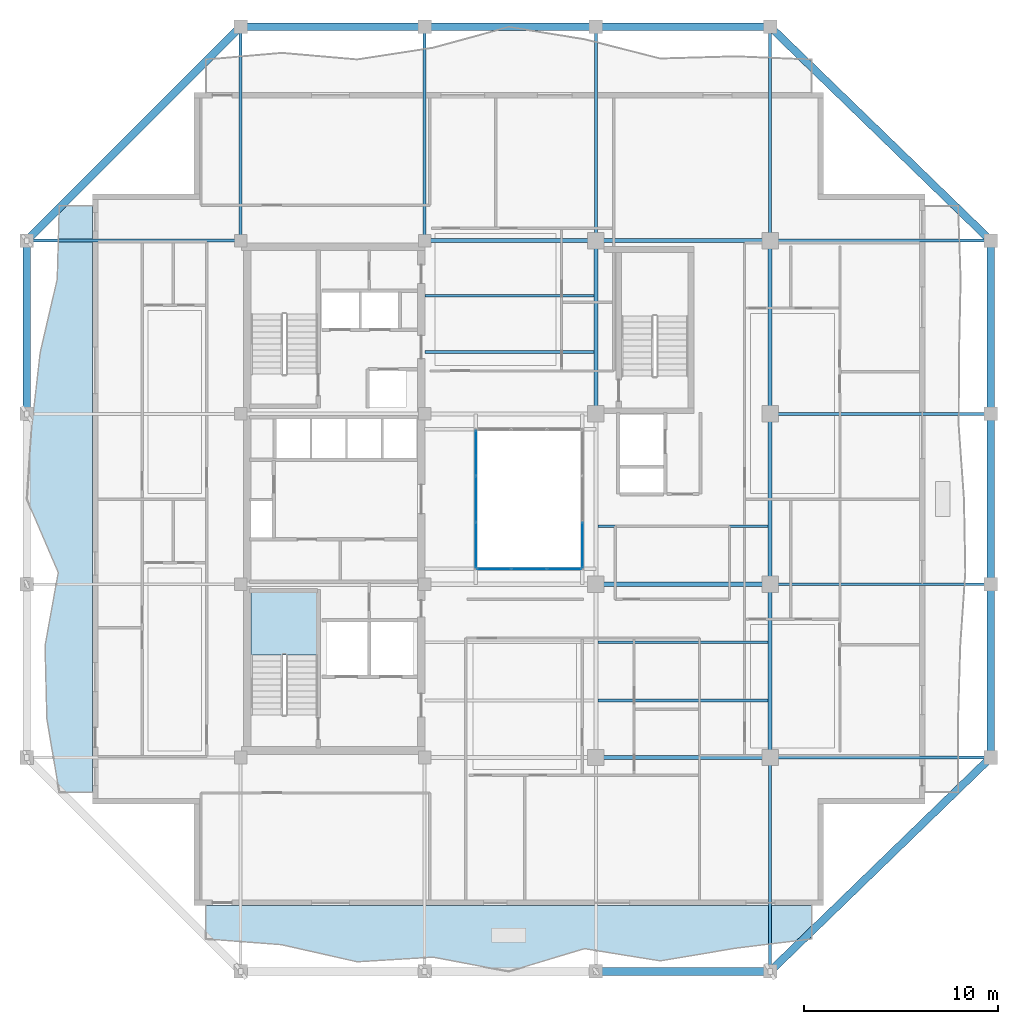
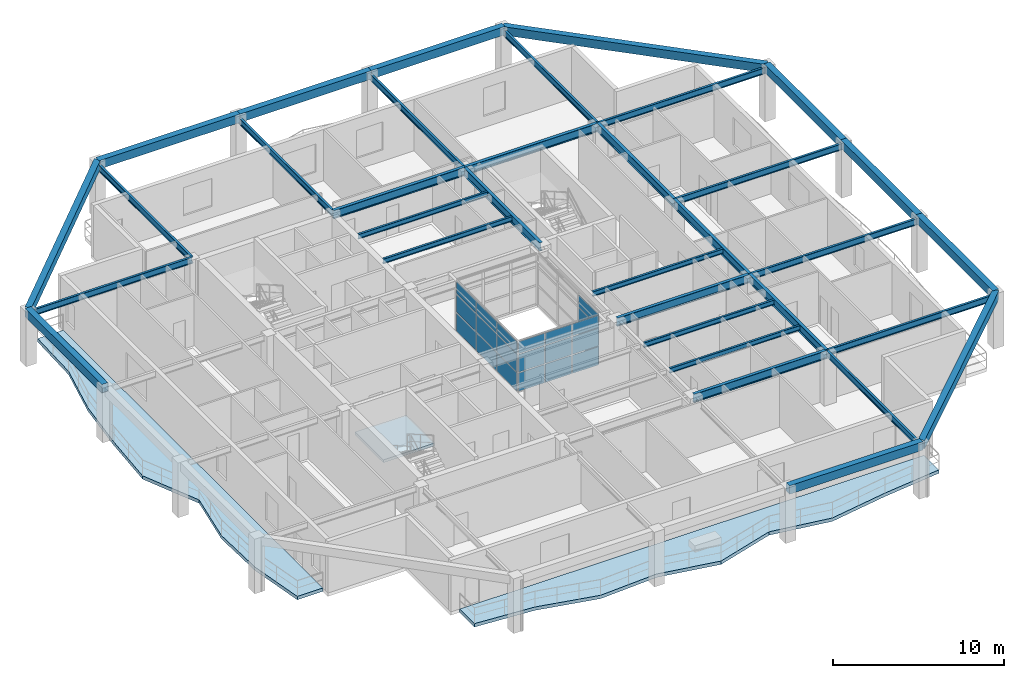
# One storey, part 4 of 15: 34 beams, 21 plates, 3 slabs, 4 elements without a shape of their own.
"""IFC4 building model written with IfcOpenShell, lengths in metres."""

from ifc_helpers import new_model, si_unit, direction, frame, origin, origin_2d, place, context, subcontext, project, spatial, polyline, rectangle, i_section, outline, extrude, material, layer, layer_set, material_profile, profile_set, type_object, element, aggregate, save


model = new_model("IFC4")

# Units and contexts
model_context = context("Model", 3, precision=1e-05, world=origin(), true_north=direction((0.0, 1.0)))
body_context = subcontext(model_context, "Body", "Model", "MODEL_VIEW")
ifc_project = project(units=[si_unit("LENGTHUNIT", "METRE"), si_unit("AREAUNIT", "SQUARE_METRE"), si_unit("VOLUMEUNIT", "CUBIC_METRE"), si_unit("PLANEANGLEUNIT", "RADIAN"), si_unit("MASSUNIT", "GRAM", prefix="KILO")], contexts=[model_context])

# Site, building, storey
site_placement = place(None, origin())
site = spatial("IfcSite", under=ifc_project, at=site_placement, CompositionType="ELEMENT")
building_placement = place(site_placement, origin())
building = spatial("IfcBuilding", under=site, at=building_placement, Name="Kundavana Baori Tower", CompositionType="ELEMENT")
storey_placement = place(building_placement, frame((0.0, 0.0, 214.10009765625)))
storey = spatial("IfcBuildingStorey", under=building, at=storey_placement, Name="L52", CompositionType="ELEMENT", Elevation=214.10009765625)

# Beams
ifc_material_1 = material(Name="Structural Steel S355JR", Category="steel")
ifc_material_profile_1 = material_profile(ifc_material_1, i_section(OverallWidth=0.139892578125, OverallDepth=0.35009765625, WebThickness=0.008056640625, FlangeThickness=0.01416015625, FilletRadius=0.013916015625, at=origin_2d()), Name="ISMB 350")
ifc_profile_set_1 = profile_set([ifc_material_profile_1], Name="Structural Steel S355JR")
beam_type_1 = type_object("IfcBeamType", Name="BM-JST-350", PredefinedType="JOIST", material=ifc_profile_set_1)
for number, where, z_axis, x_axis, name in (
    (1, (24.97998046875, 36.199951171875, 3.48486328125), (1.0, 0.0, 0.0), (0.0, 1.0, 0.0), "L52 Central Bay Composite Floor Joist C3"),
    (2, (24.97998046875, 39.10009765625, 3.48486328125), (1.0, 0.0, 0.0), (0.0, 1.0, 0.0), "L52 Central Bay Composite Floor Joist C4"),
):
    element("IfcBeam", number, at=place(storey_placement, frame(where, z_axis=z_axis, x_axis=x_axis)), inside=storey, type_object=beam_type_1, Name=name, PredefinedType="JOIST", context=body_context, shape_type="SweptSolid", body=[
        extrude(i_section(OverallWidth=0.139892578125, OverallDepth=0.35009765625, WebThickness=0.008056640625, FlangeThickness=0.01416015625, FilletRadius=0.013916015625, at=origin_2d()), origin(), (0.0, 0.0, 1.0), 8.715087890625),
    ])
for number, where, z_axis, x_axis, name in (
    (3, (33.905029296875, 18.199951171875, 3.48486328125), (1.0, 0.0, 0.0), (0.0, 1.0, 0.0), "L52 East Bay Composite Floor Joist E1"),
    (4, (33.905029296875, 21.199951171875, 3.48486328125), (1.0, 0.0, 0.0), (0.0, 1.0, 0.0), "L52 East Bay Composite Floor Joist E2"),
    (5, (33.905029296875, 27.199951171875, 3.48486328125), (1.0, 0.0, 0.0), (0.0, 1.0, 0.0), "L52 East Bay Composite Floor Joist E3"),
):
    element("IfcBeam", number, at=place(storey_placement, frame(where, z_axis=z_axis, x_axis=x_axis)), inside=storey, type_object=beam_type_1, Name=name, PredefinedType="JOIST", context=body_context, shape_type="SweptSolid", body=[
        extrude(i_section(OverallWidth=0.139892578125, OverallDepth=0.35009765625, WebThickness=0.008056640625, FlangeThickness=0.01416015625, FilletRadius=0.013916015625, at=origin_2d()), origin(), (0.0, 0.0, 1.0), 8.7900390625),
    ])
ifc_material_2 = material(Name="Concrete C50/60", Category="concrete")
ifc_material_profile_2 = material_profile(ifc_material_2, rectangle(XDim=0.39990234375, YDim=0.60009765625, at=origin_2d()), Name="RC BM 400x600")
ifc_profile_set_2 = profile_set([ifc_material_profile_2], Name="Concrete C50/60")
beam_type_2 = type_object("IfcBeamType", Name="BM-PF-600", PredefinedType="SPANDREL", material=ifc_profile_set_2)
beam_1_placement = place(storey_placement, frame((33.800048828125, 4.199951171875, 3.599853515625), z_axis=(1.0, 0.0, 0.0), x_axis=(0.0, 1.0, 0.0)))
element("IfcBeam", 6, at=beam_1_placement, inside=storey, type_object=beam_type_2, Name="L52 Perimeter Frame Ring Beam S3", PredefinedType="SPANDREL", context=body_context, shape_type="SweptSolid", body=[
    extrude(rectangle(XDim=0.39990234375, YDim=0.60009765625, at=origin_2d()), origin(), (0.0, 0.0, 1.0), 9.0),
])
beam_2_placement = place(storey_placement, frame((15.449951171875, 53.0, 3.599853515625), z_axis=(1.0, 0.0, 0.0), x_axis=(0.0, 1.0, 0.0)))
element("IfcBeam", 7, at=beam_2_placement, inside=storey, type_object=beam_type_2, Name="L52 Perimeter Frame Ring Beam N1", PredefinedType="SPANDREL", context=body_context, shape_type="SweptSolid", body=[
    extrude(rectangle(XDim=0.39990234375, YDim=0.60009765625, at=origin_2d()), origin(), (0.0, 0.0, 1.0), 9.5),
])
beam_3_placement = place(storey_placement, frame((24.949951171875, 53.0, 3.599853515625), z_axis=(1.0, 0.0, 0.0), x_axis=(0.0, 1.0, 0.0)))
element("IfcBeam", 8, at=beam_3_placement, inside=storey, type_object=beam_type_2, Name="L52 Perimeter Frame Ring Beam N2", PredefinedType="SPANDREL", context=body_context, shape_type="SweptSolid", body=[
    extrude(rectangle(XDim=0.39990234375, YDim=0.60009765625, at=origin_2d()), origin(), (0.0, 0.0, 1.0), 8.85009765625),
])
beam_4_placement = place(storey_placement, frame((33.800048828125, 53.0, 3.599853515625), z_axis=(1.0, 0.0, 0.0), x_axis=(0.0, 1.0, 0.0)))
element("IfcBeam", 9, at=beam_4_placement, inside=storey, type_object=beam_type_2, Name="L52 Perimeter Frame Ring Beam N3", PredefinedType="SPANDREL", context=body_context, shape_type="SweptSolid", body=[
    extrude(rectangle(XDim=0.39990234375, YDim=0.60009765625, at=origin_2d()), origin(), (0.0, 0.0, 1.0), 9.0),
])
for number, where, z_axis, x_axis, name in (
    (10, (4.39990234375, 33.0, 3.599853515625), (0.0, 1.0, 0.0), (-1.0, 0.0, 0.0), "L52 Perimeter Frame Ring Beam W3"),
    (11, (54.199951171875, 15.25, 3.599853515625), (0.0, 1.0, 0.0), (-1.0, 0.0, 0.0), "L52 Perimeter Frame Ring Beam E1"),
):
    element("IfcBeam", number, at=place(storey_placement, frame(where, z_axis=z_axis, x_axis=x_axis)), inside=storey, type_object=beam_type_2, Name=name, PredefinedType="SPANDREL", context=body_context, shape_type="SweptSolid", body=[
        extrude(rectangle(XDim=0.39990234375, YDim=0.60009765625, at=origin_2d()), origin(), (0.0, 0.0, 1.0), 8.949951171875),
    ])
beam_5_placement = place(storey_placement, frame((54.199951171875, 24.199951171875, 3.599853515625), z_axis=(0.0, 1.0, 0.0), x_axis=(-1.0, 0.0, 0.0)))
element("IfcBeam", 12, at=beam_5_placement, inside=storey, type_object=beam_type_2, Name="L52 Perimeter Frame Ring Beam E2", PredefinedType="SPANDREL", context=body_context, shape_type="SweptSolid", body=[
    extrude(rectangle(XDim=0.39990234375, YDim=0.60009765625, at=origin_2d()), origin(), (0.0, 0.0, 1.0), 8.800048828125),
])
beam_6_placement = place(storey_placement, frame((54.199951171875, 33.0, 3.599853515625), z_axis=(0.0, 1.0, 0.0), x_axis=(-1.0, 0.0, 0.0)))
element("IfcBeam", 13, at=beam_6_placement, inside=storey, type_object=beam_type_2, Name="L52 Perimeter Frame Ring Beam E3", PredefinedType="SPANDREL", context=body_context, shape_type="SweptSolid", body=[
    extrude(rectangle(XDim=0.39990234375, YDim=0.60009765625, at=origin_2d()), origin(), (0.0, 0.0, 1.0), 8.949951171875),
])
beam_7_placement = place(storey_placement, frame((42.800048828125, 4.199951171875, 3.599853515625), z_axis=(0.718038944492, 0.696002926857, 0.0), x_axis=(-0.696002926857, 0.718038944492, 0.0)))
element("IfcBeam", 14, at=beam_7_placement, inside=storey, type_object=beam_type_2, Name="L52 Notched Corner Perimeter Beam SE", PredefinedType="SPANDREL", context=body_context, shape_type="SweptSolid", body=[
    extrude(rectangle(XDim=0.39990234375, YDim=0.60009765625, at=origin_2d()), origin(), (0.0, 0.0, 1.0), 15.87646484375),
])
beam_8_placement = place(storey_placement, frame((15.449951171875, 53.0, 3.599853515625), z_axis=(-0.707106781187, -0.707106781187, 0.0), x_axis=(0.707106781187, -0.707106781187, 0.0)))
element("IfcBeam", 15, at=beam_8_placement, inside=storey, type_object=beam_type_2, Name="L52 Notched Corner Perimeter Beam NW", PredefinedType="SPANDREL", context=body_context, shape_type="SweptSolid", body=[
    extrude(rectangle(XDim=0.39990234375, YDim=0.60009765625, at=origin_2d()), origin(), (0.0, 0.0, 1.0), 15.627197265625),
])
beam_9_placement = place(storey_placement, frame((42.800048828125, 53.0, 3.599853515625), z_axis=(0.718038944492, -0.696002926857, 0.0), x_axis=(0.696002926857, 0.718038944492, 0.0)))
element("IfcBeam", 16, at=beam_9_placement, inside=storey, type_object=beam_type_2, Name="L52 Notched Corner Perimeter Beam NE", PredefinedType="SPANDREL", context=body_context, shape_type="SweptSolid", body=[
    extrude(rectangle(XDim=0.39990234375, YDim=0.60009765625, at=origin_2d()), origin(), (0.0, 0.0, 1.0), 15.87646484375),
])
ifc_material_3 = material(Name="Structural Steel S355JR", Category="steel")
ifc_material_profile_3 = material_profile(ifc_material_3, i_section(OverallWidth=0.2099609375, OverallDepth=0.60009765625, WebThickness=0.011962890625, FlangeThickness=0.020751953125, FilletRadius=0.02001953125, at=origin_2d()), Name="ISMB 600")
ifc_profile_set_3 = profile_set([ifc_material_profile_3], Name="Structural Steel S355JR")
beam_type_3 = type_object("IfcBeamType", Name="BM-ST-600", PredefinedType="BEAM", material=ifc_profile_set_3)
for number, where, z_axis, x_axis, name in (
    (17, (33.800048828125, 15.25, 3.35986328125), (1.0, 0.0, 0.0), (0.0, 1.0, 0.0), "L52 Primary Grid Girder GX-1-3"),
    (18, (33.800048828125, 24.199951171875, 3.35986328125), (1.0, 0.0, 0.0), (0.0, 1.0, 0.0), "L52 Primary Grid Girder GX-2-3"),
):
    element("IfcBeam", number, at=place(storey_placement, frame(where, z_axis=z_axis, x_axis=x_axis)), inside=storey, type_object=beam_type_3, Name=name, PredefinedType="BEAM", context=body_context, shape_type="SweptSolid", body=[
        extrude(i_section(OverallWidth=0.2099609375, OverallDepth=0.60009765625, WebThickness=0.011962890625, FlangeThickness=0.020751953125, FilletRadius=0.02001953125, at=origin_2d()), origin(), (0.0, 0.0, 1.0), 9.0),
    ])
beam_10_placement = place(storey_placement, frame((24.949951171875, 41.949951171875, 3.35986328125), z_axis=(1.0, 0.0, 0.0), x_axis=(0.0, 1.0, 0.0)))
element("IfcBeam", 19, at=beam_10_placement, inside=storey, type_object=beam_type_3, Name="L52 Primary Grid Girder GX-4-2", PredefinedType="BEAM", context=body_context, shape_type="SweptSolid", body=[
    extrude(i_section(OverallWidth=0.2099609375, OverallDepth=0.60009765625, WebThickness=0.011962890625, FlangeThickness=0.020751953125, FilletRadius=0.02001953125, at=origin_2d()), origin(), (0.0, 0.0, 1.0), 8.85009765625),
])
beam_11_placement = place(storey_placement, frame((33.800048828125, 41.949951171875, 3.35986328125), z_axis=(1.0, 0.0, 0.0), x_axis=(0.0, 1.0, 0.0)))
element("IfcBeam", 20, at=beam_11_placement, inside=storey, type_object=beam_type_3, Name="L52 Primary Grid Girder GX-4-3", PredefinedType="BEAM", context=body_context, shape_type="SweptSolid", body=[
    extrude(i_section(OverallWidth=0.2099609375, OverallDepth=0.60009765625, WebThickness=0.011962890625, FlangeThickness=0.020751953125, FilletRadius=0.02001953125, at=origin_2d()), origin(), (0.0, 0.0, 1.0), 9.0),
])
for number, where, z_axis, x_axis, name in (
    (21, (33.800048828125, 33.0, 3.35986328125), (0.0, 1.0, 0.0), (-1.0, 0.0, 0.0), "L52 Primary Grid Girder GY-3-3"),
    (22, (42.800048828125, 15.25, 3.35986328125), (0.0, 1.0, 0.0), (-1.0, 0.0, 0.0), "L52 Primary Grid Girder GY-4-1"),
):
    element("IfcBeam", number, at=place(storey_placement, frame(where, z_axis=z_axis, x_axis=x_axis)), inside=storey, type_object=beam_type_3, Name=name, PredefinedType="BEAM", context=body_context, shape_type="SweptSolid", body=[
        extrude(i_section(OverallWidth=0.2099609375, OverallDepth=0.60009765625, WebThickness=0.011962890625, FlangeThickness=0.020751953125, FilletRadius=0.02001953125, at=origin_2d()), origin(), (0.0, 0.0, 1.0), 8.949951171875),
    ])
beam_12_placement = place(storey_placement, frame((42.800048828125, 24.199951171875, 3.35986328125), z_axis=(0.0, 1.0, 0.0), x_axis=(-1.0, 0.0, 0.0)))
element("IfcBeam", 23, at=beam_12_placement, inside=storey, type_object=beam_type_3, Name="L52 Primary Grid Girder GY-4-2", PredefinedType="BEAM", context=body_context, shape_type="SweptSolid", body=[
    extrude(i_section(OverallWidth=0.2099609375, OverallDepth=0.60009765625, WebThickness=0.011962890625, FlangeThickness=0.020751953125, FilletRadius=0.02001953125, at=origin_2d()), origin(), (0.0, 0.0, 1.0), 8.800048828125),
])
beam_13_placement = place(storey_placement, frame((42.800048828125, 33.0, 3.35986328125), z_axis=(0.0, 1.0, 0.0), x_axis=(-1.0, 0.0, 0.0)))
element("IfcBeam", 24, at=beam_13_placement, inside=storey, type_object=beam_type_3, Name="L52 Primary Grid Girder GY-4-3", PredefinedType="BEAM", context=body_context, shape_type="SweptSolid", body=[
    extrude(i_section(OverallWidth=0.2099609375, OverallDepth=0.60009765625, WebThickness=0.011962890625, FlangeThickness=0.020751953125, FilletRadius=0.02001953125, at=origin_2d()), origin(), (0.0, 0.0, 1.0), 8.949951171875),
])
ifc_material_4 = material(Name="Structural Steel S355JR", Category="steel")
ifc_material_profile_4 = material_profile(ifc_material_4, i_section(OverallWidth=0.14990234375, OverallDepth=0.449951171875, WebThickness=0.009521484375, FlangeThickness=0.017333984375, FilletRadius=0.014892578125, at=origin_2d()), Name="ISMB 450")
ifc_profile_set_4 = profile_set([ifc_material_profile_4], Name="Structural Steel S355JR")
beam_type_4 = type_object("IfcBeamType", Name="BM-TIE-450", PredefinedType="BEAM", material=ifc_profile_set_4)
for number, where, z_axis, x_axis, name in (
    (25, (15.449951171875, 41.949951171875, 3.434814453125), (0.0, 1.0, 0.0), (-1.0, 0.0, 0.0), "L52 North Radial Loggia Tie Beam N1"),
    (26, (24.949951171875, 41.949951171875, 3.434814453125), (0.0, 1.0, 0.0), (-1.0, 0.0, 0.0), "L52 North Radial Loggia Tie Beam N2"),
    (27, (33.800048828125, 41.949951171875, 3.434814453125), (0.0, 1.0, 0.0), (-1.0, 0.0, 0.0), "L52 North Radial Loggia Tie Beam N3"),
    (28, (42.800048828125, 15.25, 3.434814453125), (0.0, -1.0, 0.0), (1.0, 0.0, 0.0), "L52 South Radial Loggia Tie Beam S4"),
    (29, (42.800048828125, 41.949951171875, 3.434814453125), (0.0, 1.0, 0.0), (-1.0, 0.0, 0.0), "L52 North Radial Loggia Tie Beam N4"),
):
    element("IfcBeam", number, at=place(storey_placement, frame(where, z_axis=z_axis, x_axis=x_axis)), inside=storey, type_object=beam_type_4, Name=name, PredefinedType="BEAM", context=body_context, shape_type="SweptSolid", body=[
        extrude(i_section(OverallWidth=0.14990234375, OverallDepth=0.449951171875, WebThickness=0.009521484375, FlangeThickness=0.017333984375, FilletRadius=0.014892578125, at=origin_2d()), origin(), (0.0, 0.0, 1.0), 11.050048828125),
    ])
for number, where, z_axis, x_axis, name in (
    (30, (42.800048828125, 15.25, 3.434814453125), (1.0, 0.0, 0.0), (0.0, 1.0, 0.0), "L52 East Radial Loggia Tie Beam E1"),
    (31, (42.800048828125, 24.199951171875, 3.434814453125), (1.0, 0.0, 0.0), (0.0, 1.0, 0.0), "L52 East Radial Loggia Tie Beam E2"),
    (32, (42.800048828125, 33.0, 3.434814453125), (1.0, 0.0, 0.0), (0.0, 1.0, 0.0), "L52 East Radial Loggia Tie Beam E3"),
):
    element("IfcBeam", number, at=place(storey_placement, frame(where, z_axis=z_axis, x_axis=x_axis)), inside=storey, type_object=beam_type_4, Name=name, PredefinedType="BEAM", context=body_context, shape_type="SweptSolid", body=[
        extrude(i_section(OverallWidth=0.14990234375, OverallDepth=0.449951171875, WebThickness=0.009521484375, FlangeThickness=0.017333984375, FilletRadius=0.014892578125, at=origin_2d()), origin(), (0.0, 0.0, 1.0), 11.39990234375),
    ])
beam_14_placement = place(storey_placement, frame((15.449951171875, 41.949951171875, 3.434814453125), z_axis=(-1.0, 0.0, 0.0), x_axis=(0.0, -1.0, 0.0)))
element("IfcBeam", 33, at=beam_14_placement, inside=storey, type_object=beam_type_4, Name="L52 West Radial Loggia Tie Beam W4", PredefinedType="BEAM", context=body_context, shape_type="SweptSolid", body=[
    extrude(i_section(OverallWidth=0.14990234375, OverallDepth=0.449951171875, WebThickness=0.009521484375, FlangeThickness=0.017333984375, FilletRadius=0.014892578125, at=origin_2d()), origin(), (0.0, 0.0, 1.0), 11.050048828125),
])
beam_15_placement = place(storey_placement, frame((42.800048828125, 41.949951171875, 3.434814453125), z_axis=(1.0, 0.0, 0.0), x_axis=(0.0, 1.0, 0.0)))
element("IfcBeam", 34, at=beam_15_placement, inside=storey, type_object=beam_type_4, Name="L52 East Radial Loggia Tie Beam E4", PredefinedType="BEAM", context=body_context, shape_type="SweptSolid", body=[
    extrude(i_section(OverallWidth=0.14990234375, OverallDepth=0.449951171875, WebThickness=0.009521484375, FlangeThickness=0.017333984375, FilletRadius=0.014892578125, at=origin_2d()), origin(), (0.0, 0.0, 1.0), 11.39990234375),
])

# Curtain wall, plates
ifc_material_5 = material(Name="Thermally Broken Anodised Aluminium Framing", Category="aluminium")
ifc_layer_1 = layer(ifc_material_5, 0.219970703125, Name="CW-SYS-5")
ifc_layer_set_1 = layer_set([ifc_layer_1], Name="Thermally Broken Anodised Aluminium Framing")
curtain_wall_type = type_object("IfcCurtainWallType", Name="CW-SYS-5", PredefinedType="NOTDEFINED", material=ifc_layer_set_1)
curtain_wall_1_placement = place(storey_placement, origin())
curtain_wall_1 = element("IfcCurtainWall", 35, at=curtain_wall_1_placement, inside=storey, type_object=curtain_wall_type, Name="L52 Atrium Glazed Curtain Wall S", PredefinedType="NOTDEFINED")
ifc_material_6 = material(Name="Double-Glazed Solar-Control Low-E Insulated Glass", Category="glass")
ifc_layer_2 = layer(ifc_material_6, 0.028076171875, Name="CW-PNL-GLS28")
ifc_layer_set_2 = layer_set([ifc_layer_2], Name="Double-Glazed Solar-Control Low-E Insulated Glass")
plate_type = type_object("IfcPlateType", Name="CW-PNL-GLS28", PredefinedType="CURTAIN_PANEL", material=ifc_layer_set_2)
plate_1_placement = place(storey_placement, frame((28.532958984375, 25.0, 0.06494140625), z_axis=(0.0, 0.0, 1.0), x_axis=(1.0, 0.0, 0.0)))
plate_1 = element("IfcPlate", 36, at=plate_1_placement, type_object=plate_type, Name="CW5 panel 1.1", PredefinedType="CURTAIN_PANEL", context=body_context, shape_type="SweptSolid", body=[
    extrude(rectangle(XDim=1.73583984375, YDim=0.028076171875, at=origin_2d()), origin(), (0.0, 0.0, 1.0), 1.293212890625),
])
plate_2_placement = place(storey_placement, frame((28.532958984375, 25.0, 1.42333984375), z_axis=(0.0, 0.0, 1.0), x_axis=(1.0, 0.0, 0.0)))
plate_2 = element("IfcPlate", 37, at=plate_2_placement, type_object=plate_type, Name="CW5 panel 1.2", PredefinedType="CURTAIN_PANEL", context=body_context, shape_type="SweptSolid", body=[
    extrude(rectangle(XDim=1.73583984375, YDim=0.028076171875, at=origin_2d()), origin(), (0.0, 0.0, 1.0), 1.252685546875),
])
plate_3_placement = place(storey_placement, frame((28.532958984375, 25.0, 2.740966796875), z_axis=(0.0, 0.0, 1.0), x_axis=(1.0, 0.0, 0.0)))
plate_3 = element("IfcPlate", 38, at=plate_3_placement, type_object=plate_type, Name="CW5 panel 1.3", PredefinedType="CURTAIN_PANEL", context=body_context, shape_type="SweptSolid", body=[
    extrude(rectangle(XDim=1.73583984375, YDim=0.028076171875, at=origin_2d()), origin(), (0.0, 0.0, 1.0), 0.85400390625),
])
plate_4_placement = place(storey_placement, frame((30.35009765625, 25.0, 0.06494140625), z_axis=(0.0, 0.0, 1.0), x_axis=(1.0, 0.0, 0.0)))
plate_4 = element("IfcPlate", 39, at=plate_4_placement, type_object=plate_type, Name="CW5 panel 2.1", PredefinedType="CURTAIN_PANEL", context=body_context, shape_type="SweptSolid", body=[
    extrude(rectangle(XDim=1.768310546875, YDim=0.028076171875, at=origin_2d()), origin(), (0.0, 0.0, 1.0), 1.293212890625),
])
plate_5_placement = place(storey_placement, frame((30.35009765625, 25.0, 1.42333984375), z_axis=(0.0, 0.0, 1.0), x_axis=(1.0, 0.0, 0.0)))
plate_5 = element("IfcPlate", 40, at=plate_5_placement, type_object=plate_type, Name="CW5 panel 2.2", PredefinedType="CURTAIN_PANEL", context=body_context, shape_type="SweptSolid", body=[
    extrude(rectangle(XDim=1.768310546875, YDim=0.028076171875, at=origin_2d()), origin(), (0.0, 0.0, 1.0), 1.252685546875),
])
plate_6_placement = place(storey_placement, frame((30.35009765625, 25.0, 2.740966796875), z_axis=(0.0, 0.0, 1.0), x_axis=(1.0, 0.0, 0.0)))
plate_6 = element("IfcPlate", 41, at=plate_6_placement, type_object=plate_type, Name="CW5 panel 2.3", PredefinedType="CURTAIN_PANEL", context=body_context, shape_type="SweptSolid", body=[
    extrude(rectangle(XDim=1.768310546875, YDim=0.028076171875, at=origin_2d()), origin(), (0.0, 0.0, 1.0), 0.85400390625),
])
plate_7_placement = place(storey_placement, frame((32.1669921875, 25.0, 0.06494140625), z_axis=(0.0, 0.0, 1.0), x_axis=(1.0, 0.0, 0.0)))
plate_7 = element("IfcPlate", 42, at=plate_7_placement, type_object=plate_type, Name="CW5 panel 3.1", PredefinedType="CURTAIN_PANEL", context=body_context, shape_type="SweptSolid", body=[
    extrude(rectangle(XDim=1.73583984375, YDim=0.028076171875, at=origin_2d()), origin(), (0.0, 0.0, 1.0), 1.293212890625),
])
plate_8_placement = place(storey_placement, frame((32.1669921875, 25.0, 1.42333984375), z_axis=(0.0, 0.0, 1.0), x_axis=(1.0, 0.0, 0.0)))
plate_8 = element("IfcPlate", 43, at=plate_8_placement, type_object=plate_type, Name="CW5 panel 3.2", PredefinedType="CURTAIN_PANEL", context=body_context, shape_type="SweptSolid", body=[
    extrude(rectangle(XDim=1.73583984375, YDim=0.028076171875, at=origin_2d()), origin(), (0.0, 0.0, 1.0), 1.252685546875),
])
plate_9_placement = place(storey_placement, frame((32.1669921875, 25.0, 2.740966796875), z_axis=(0.0, 0.0, 1.0), x_axis=(1.0, 0.0, 0.0)))
plate_9 = element("IfcPlate", 44, at=plate_9_placement, type_object=plate_type, Name="CW5 panel 3.3", PredefinedType="CURTAIN_PANEL", context=body_context, shape_type="SweptSolid", body=[
    extrude(rectangle(XDim=1.73583984375, YDim=0.028076171875, at=origin_2d()), origin(), (0.0, 0.0, 1.0), 0.85400390625),
])
aggregate(curtain_wall_1, [plate_1, plate_2, plate_3, plate_4, plate_5, plate_6, plate_7, plate_8, plate_9])

curtain_wall_2_placement = place(storey_placement, origin())
curtain_wall_2 = element("IfcCurtainWall", 45, at=curtain_wall_2_placement, inside=storey, type_object=curtain_wall_type, Name="L52 Atrium Glazed Curtain Wall E", PredefinedType="NOTDEFINED")
plate_10_placement = place(storey_placement, frame((33.10009765625, 26.21630859375, 0.06494140625), z_axis=(0.0, 0.0, 1.0), x_axis=(0.0, 1.0, 0.0)))
plate_10 = element("IfcPlate", 46, at=plate_10_placement, type_object=plate_type, Name="CW5 panel 1.1", PredefinedType="CURTAIN_PANEL", context=body_context, shape_type="SweptSolid", body=[
    extrude(rectangle(XDim=2.302490234375, YDim=0.028076171875, at=origin_2d()), origin(), (0.0, 0.0, 1.0), 1.293212890625),
])
plate_11_placement = place(storey_placement, frame((33.10009765625, 26.21630859375, 1.42333984375), z_axis=(0.0, 0.0, 1.0), x_axis=(0.0, 1.0, 0.0)))
plate_11 = element("IfcPlate", 47, at=plate_11_placement, type_object=plate_type, Name="CW5 panel 1.2", PredefinedType="CURTAIN_PANEL", context=body_context, shape_type="SweptSolid", body=[
    extrude(rectangle(XDim=2.302490234375, YDim=0.028076171875, at=origin_2d()), origin(), (0.0, 0.0, 1.0), 1.252685546875),
])
plate_12_placement = place(storey_placement, frame((33.10009765625, 26.21630859375, 2.740966796875), z_axis=(0.0, 0.0, 1.0), x_axis=(0.0, 1.0, 0.0)))
plate_12 = element("IfcPlate", 48, at=plate_12_placement, type_object=plate_type, Name="CW5 panel 1.3", PredefinedType="CURTAIN_PANEL", context=body_context, shape_type="SweptSolid", body=[
    extrude(rectangle(XDim=2.302490234375, YDim=0.028076171875, at=origin_2d()), origin(), (0.0, 0.0, 1.0), 0.85400390625),
])
aggregate(curtain_wall_2, [plate_10, plate_11, plate_12])

curtain_wall_3_placement = place(storey_placement, origin())
curtain_wall_3 = element("IfcCurtainWall", 49, at=curtain_wall_3_placement, inside=storey, type_object=curtain_wall_type, Name="L52 Atrium Glazed Curtain Wall W", PredefinedType="NOTDEFINED")
plate_13_placement = place(storey_placement, frame((27.60009765625, 30.983642578125, 0.06494140625), z_axis=(0.0, 0.0, 1.0), x_axis=(0.0, -1.0, 0.0)))
plate_13 = element("IfcPlate", 50, at=plate_13_placement, type_object=plate_type, Name="CW5 panel 1.1", PredefinedType="CURTAIN_PANEL", context=body_context, shape_type="SweptSolid", body=[
    extrude(rectangle(XDim=2.302490234375, YDim=0.028076171875, at=origin_2d()), origin(), (0.0, 0.0, 1.0), 1.293212890625),
])
plate_14_placement = place(storey_placement, frame((27.60009765625, 30.983642578125, 1.42333984375), z_axis=(0.0, 0.0, 1.0), x_axis=(0.0, -1.0, 0.0)))
plate_14 = element("IfcPlate", 51, at=plate_14_placement, type_object=plate_type, Name="CW5 panel 1.2", PredefinedType="CURTAIN_PANEL", context=body_context, shape_type="SweptSolid", body=[
    extrude(rectangle(XDim=2.302490234375, YDim=0.028076171875, at=origin_2d()), origin(), (0.0, 0.0, 1.0), 1.252685546875),
])
plate_15_placement = place(storey_placement, frame((27.60009765625, 30.983642578125, 2.740966796875), z_axis=(0.0, 0.0, 1.0), x_axis=(0.0, -1.0, 0.0)))
plate_15 = element("IfcPlate", 52, at=plate_15_placement, type_object=plate_type, Name="CW5 panel 1.3", PredefinedType="CURTAIN_PANEL", context=body_context, shape_type="SweptSolid", body=[
    extrude(rectangle(XDim=2.302490234375, YDim=0.028076171875, at=origin_2d()), origin(), (0.0, 0.0, 1.0), 0.85400390625),
])
plate_16_placement = place(storey_placement, frame((27.60009765625, 28.60009765625, 0.06494140625), z_axis=(0.0, 0.0, 1.0), x_axis=(0.0, -1.0, 0.0)))
plate_16 = element("IfcPlate", 53, at=plate_16_placement, type_object=plate_type, Name="CW5 panel 2.1", PredefinedType="CURTAIN_PANEL", context=body_context, shape_type="SweptSolid", body=[
    extrude(rectangle(XDim=2.3349609375, YDim=0.028076171875, at=origin_2d()), origin(), (0.0, 0.0, 1.0), 1.293212890625),
])
plate_17_placement = place(storey_placement, frame((27.60009765625, 28.60009765625, 1.42333984375), z_axis=(0.0, 0.0, 1.0), x_axis=(0.0, -1.0, 0.0)))
plate_17 = element("IfcPlate", 54, at=plate_17_placement, type_object=plate_type, Name="CW5 panel 2.2", PredefinedType="CURTAIN_PANEL", context=body_context, shape_type="SweptSolid", body=[
    extrude(rectangle(XDim=2.3349609375, YDim=0.028076171875, at=origin_2d()), origin(), (0.0, 0.0, 1.0), 1.252685546875),
])
plate_18_placement = place(storey_placement, frame((27.60009765625, 28.60009765625, 2.740966796875), z_axis=(0.0, 0.0, 1.0), x_axis=(0.0, -1.0, 0.0)))
plate_18 = element("IfcPlate", 55, at=plate_18_placement, type_object=plate_type, Name="CW5 panel 2.3", PredefinedType="CURTAIN_PANEL", context=body_context, shape_type="SweptSolid", body=[
    extrude(rectangle(XDim=2.3349609375, YDim=0.028076171875, at=origin_2d()), origin(), (0.0, 0.0, 1.0), 0.85400390625),
])
plate_19_placement = place(storey_placement, frame((27.60009765625, 26.21630859375, 0.06494140625), z_axis=(0.0, 0.0, 1.0), x_axis=(0.0, -1.0, 0.0)))
plate_19 = element("IfcPlate", 56, at=plate_19_placement, type_object=plate_type, Name="CW5 panel 3.1", PredefinedType="CURTAIN_PANEL", context=body_context, shape_type="SweptSolid", body=[
    extrude(rectangle(XDim=2.302490234375, YDim=0.028076171875, at=origin_2d()), origin(), (0.0, 0.0, 1.0), 1.293212890625),
])
plate_20_placement = place(storey_placement, frame((27.60009765625, 26.21630859375, 1.42333984375), z_axis=(0.0, 0.0, 1.0), x_axis=(0.0, -1.0, 0.0)))
plate_20 = element("IfcPlate", 57, at=plate_20_placement, type_object=plate_type, Name="CW5 panel 3.2", PredefinedType="CURTAIN_PANEL", context=body_context, shape_type="SweptSolid", body=[
    extrude(rectangle(XDim=2.302490234375, YDim=0.028076171875, at=origin_2d()), origin(), (0.0, 0.0, 1.0), 1.252685546875),
])
plate_21_placement = place(storey_placement, frame((27.60009765625, 26.21630859375, 2.740966796875), z_axis=(0.0, 0.0, 1.0), x_axis=(0.0, -1.0, 0.0)))
plate_21 = element("IfcPlate", 58, at=plate_21_placement, type_object=plate_type, Name="CW5 panel 3.3", PredefinedType="CURTAIN_PANEL", context=body_context, shape_type="SweptSolid", body=[
    extrude(rectangle(XDim=2.302490234375, YDim=0.028076171875, at=origin_2d()), origin(), (0.0, 0.0, 1.0), 0.85400390625),
])
aggregate(curtain_wall_3, [plate_13, plate_14, plate_15, plate_16, plate_17, plate_18, plate_19, plate_20, plate_21])

# Stair, slab
ifc_material_7 = material(Name="Concrete C40/50", Category="concrete")
stair_type = type_object("IfcStairType", Name="STR-DOG-1650", PredefinedType="HALF_TURN_STAIR", material=ifc_material_7)
stair_placement = place(storey_placement, origin())
stair = element("IfcStair", 59, at=stair_placement, inside=storey, type_object=stair_type, Name="L52 Protected Exit Stair ST1", PredefinedType="HALF_TURN_STAIR")
ifc_material_8 = material(Name="Concrete C40/50", Category="concrete")
ifc_layer_3 = layer(ifc_material_8, 0.199951171875, Name="SLB-LND-200")
ifc_layer_set_3 = layer_set([ifc_layer_3], Name="Concrete C40/50")
slab_type_1 = type_object("IfcSlabType", Name="SLB-LND-200", PredefinedType="LANDING", material=ifc_layer_set_3)
slab_1_placement = place(storey_placement, frame((0.0, 0.0, 1.75)))
slab_1 = element("IfcSlab", 60, at=slab_1_placement, type_object=slab_type_1, Name="ST1 landing 1", PredefinedType="LANDING", context=body_context, shape_type="SweptSolid", body=[
    extrude(outline(polyline([(19.43994140625, 20.550048828125), (19.43994140625, 23.85009765625), (15.97998046875, 23.85009765625), (15.97998046875, 20.550048828125), (19.43994140625, 20.550048828125)])), origin(), (0.0, 0.0, 1.0), 0.199951171875),
])
aggregate(stair, [slab_1])

# Slabs
ifc_material_9 = material(Name="Concrete C40/50", Category="concrete")
ifc_layer_4 = layer(ifc_material_9, 0.239990234375, Name="SLB-LOG-240")
ifc_layer_set_4 = layer_set([ifc_layer_4], Name="Concrete C40/50")
slab_type_2 = type_object("IfcSlabType", Name="SLB-LOG-240", PredefinedType="FLOOR", material=ifc_layer_set_4)
slab_2_placement = place(storey_placement, frame((0.0, 0.0, -0.239990234375)))
element("IfcSlab", 61, at=slab_2_placement, inside=storey, type_object=slab_type_2, Name="L52 Planted Loggia Balcony Slab S", PredefinedType="FLOOR", context=body_context, shape_type="SweptSolid", body=[
    extrude(outline(polyline([(13.64990234375, 7.60009765625), (44.949951171875, 7.60009765625), (44.949951171875, 5.8798828125), (41.0380859375, 5.404052734375), (37.125, 4.74609375), (33.212890625, 5.376953125), (29.300048828125, 4.199951171875), (25.387939453125, 4.93798828125), (21.47509765625, 4.697998046875), (17.56201171875, 5.58203125), (13.64990234375, 5.8798828125), (13.64990234375, 7.60009765625)])), origin(), (0.0, 0.0, 1.0), 0.239990234375),
])
slab_3_placement = place(storey_placement, frame((0.0, 0.0, -0.239990234375)))
element("IfcSlab", 62, at=slab_3_placement, inside=storey, type_object=slab_type_2, Name="L52 Planted Loggia Balcony Slab W", PredefinedType="FLOOR", context=body_context, shape_type="SweptSolid", body=[
    extrude(outline(polyline([(7.800048828125, 43.75), (7.800048828125, 13.449951171875), (6.080078125, 13.449951171875), (5.43896484375, 17.238037109375), (5.344970703125, 21.02490234375), (6.030029296875, 24.81201171875), (4.39990234375, 28.60009765625), (4.6630859375, 32.387939453125), (5.094970703125, 36.175048828125), (5.97412109375, 39.9619140625), (6.080078125, 43.75), (7.800048828125, 43.75)])), origin(), (0.0, 0.0, 1.0), 0.239990234375),
])

save(model, "model.ifc")
